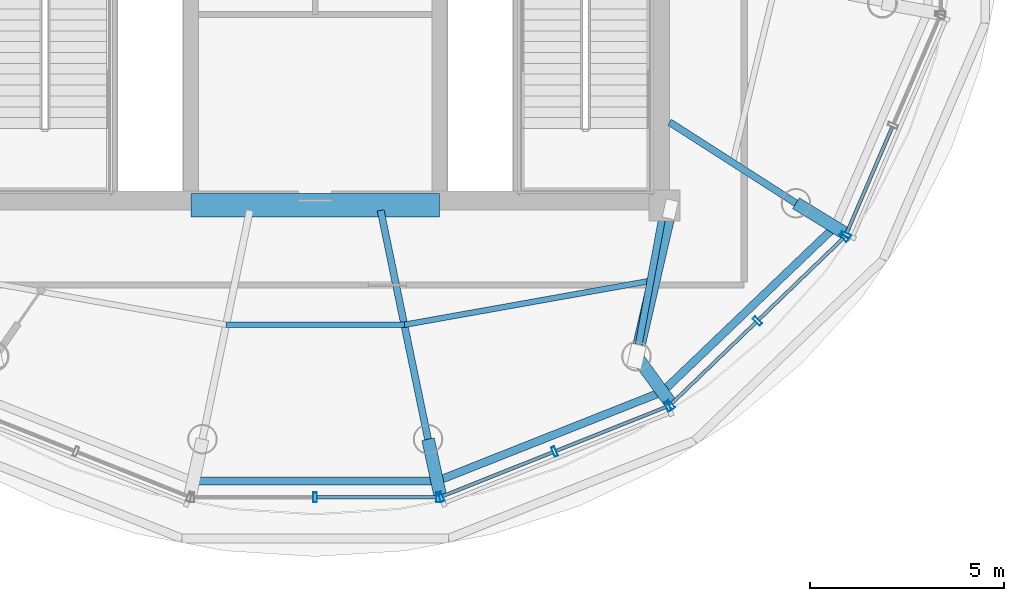
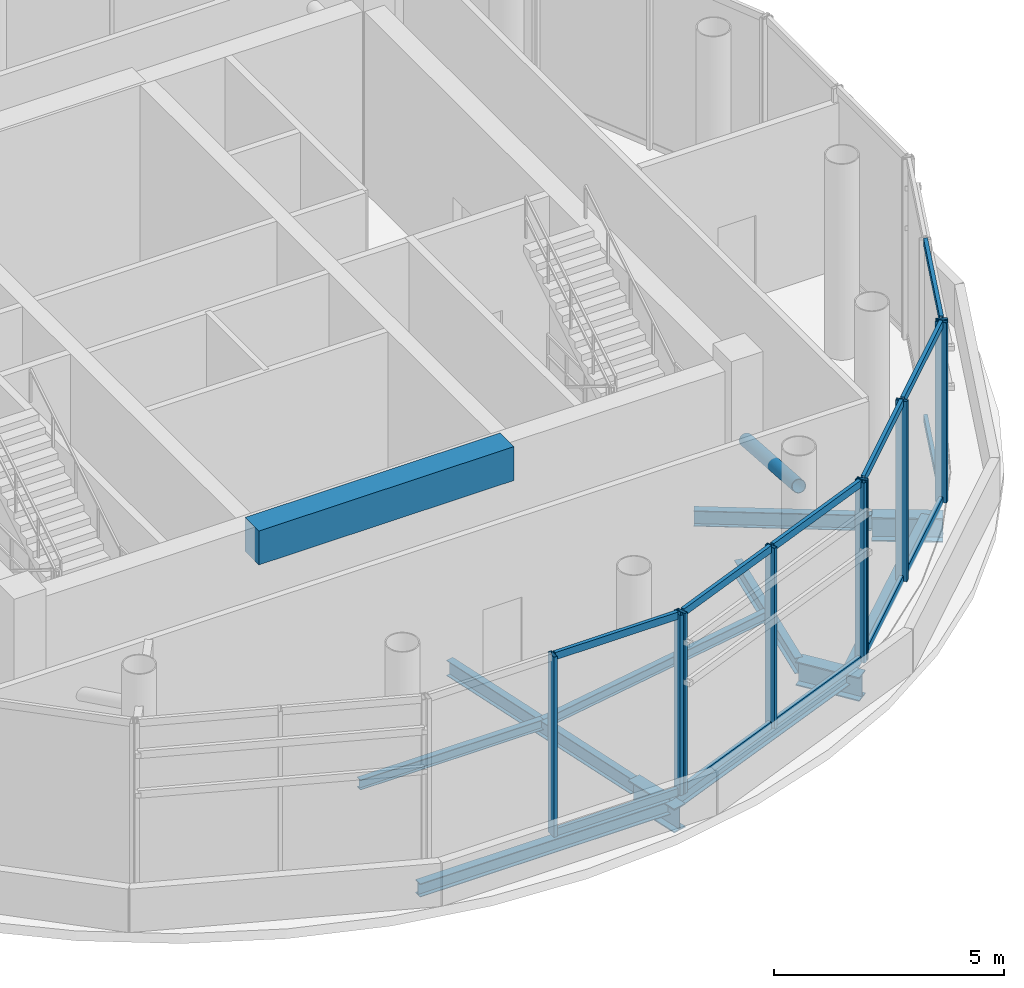
# One storey, part 3 of 14: 22 members, 12 beams, 4 elements without a shape of their own.
"""IFC4 building model written with IfcOpenShell, lengths in metres."""

from ifc_helpers import new_model, si_unit, direction, frame, origin, origin_2d, place, context, subcontext, project, spatial, rectangle, hollow_rectangle, hollow_circle, i_section, extrude, source, transform, mapped, material, material_profile, profile_set, type_object, element, aggregate, save


model = new_model("IFC4")

# Units and contexts
model_context = context("Model", 3, precision=1e-05, world=origin(), true_north=direction((-0.2419218956, 0.970295726276)))
body_context = subcontext(model_context, "Body", "Model", "MODEL_VIEW")
ifc_project = project(units=[si_unit("LENGTHUNIT", "METRE"), si_unit("AREAUNIT", "SQUARE_METRE"), si_unit("VOLUMEUNIT", "CUBIC_METRE"), si_unit("PLANEANGLEUNIT", "RADIAN"), si_unit("MASSUNIT", "GRAM", prefix="KILO")], contexts=[model_context])

# Site, building, storey
site_placement = place(None, origin())
site = spatial("IfcSite", under=ifc_project, at=site_placement, CompositionType="ELEMENT")
building_placement = place(site_placement, origin())
building = spatial("IfcBuilding", under=site, at=building_placement, Name="Cobrevalo Terracotta Tower", CompositionType="ELEMENT")
storey_placement = place(building_placement, frame((0.0, 0.0, 321.699951171875)))
storey = spatial("IfcBuildingStorey", under=building, at=storey_placement, Name="L83", CompositionType="ELEMENT", Elevation=321.699951171875)

# Beams
ifc_material_1 = material(Name="Concrete C60", Category="concrete")
ifc_material_profile_1 = material_profile(ifc_material_1, rectangle(XDim=0.60009765625, YDim=0.89990234375, at=origin_2d()), Name="RC CB 600x900")
ifc_profile_set_1 = profile_set([ifc_material_profile_1], Name="Concrete C60")
beam_type_1 = type_object("IfcBeamType", Name="Structural Beam RC CB 600x900 (Concrete C60)", PredefinedType="BEAM", material=ifc_profile_set_1)
beam_1_placement = place(storey_placement, frame((34.800048828125, 18.800048828125, 4.330078125), z_axis=(1.0, 0.0, 0.0), x_axis=(0.0, 1.0, 0.0)))
element("IfcBeam", 1, at=beam_1_placement, inside=storey, type_object=beam_type_1, Name="L83 core coupling beam 1", PredefinedType="BEAM", context=body_context, shape_type="SweptSolid", body=[
    extrude(rectangle(XDim=0.60009765625, YDim=0.89990234375, at=origin_2d()), origin(), (0.0, 0.0, 1.0), 6.39990234375),
])
ifc_material_2 = material(Name="Steel S355", Category="steel")
ifc_material_profile_2 = material_profile(ifc_material_2, i_section(OverallWidth=0.179931640625, OverallDepth=0.4130859375, WebThickness=0.009765625, FlangeThickness=0.01611328125, at=origin_2d()), Name="W 410x75")
ifc_profile_set_2 = profile_set([ifc_material_profile_2], Name="Steel S355")
beam_type_2 = type_object("IfcBeamType", Name="Structural Beam W 410x75 (Steel S355)", PredefinedType="BEAM", material=ifc_profile_set_2)
beam_2_placement = place(storey_placement, frame((40.90673828125, 12.774658203125, -0.62646484375), z_axis=(-0.202919370173, 0.979195449953, 0.0), x_axis=(-0.979195449953, -0.202919370173, 0.0)))
element("IfcBeam", 2, at=beam_2_placement, inside=storey, type_object=beam_type_2, Name="L83 radial floor girder 13", PredefinedType="BEAM", context=body_context, shape_type="SweptSolid", body=[
    extrude(i_section(OverallWidth=0.179931640625, OverallDepth=0.4130859375, WebThickness=0.009765625, FlangeThickness=0.01611328125, at=origin_2d()), origin(), (0.0, 0.0, 1.0), 6.0205078125),
])
beam_3_placement = place(storey_placement, frame((46.278076171875, 14.909912109375, -0.62646484375), z_axis=(0.182462670706, 0.983212781548, 0.0), x_axis=(-0.983212781548, 0.182462670706, 0.0)))
element("IfcBeam", 3, at=beam_3_placement, inside=storey, type_object=beam_type_2, Name="L83 radial floor girder 14", PredefinedType="BEAM", context=body_context, shape_type="SweptSolid", body=[
    extrude(i_section(OverallWidth=0.179931640625, OverallDepth=0.4130859375, WebThickness=0.009765625, FlangeThickness=0.01611328125, at=origin_2d()), origin(), (0.0, 0.0, 1.0), 3.95654296875),
])
beam_4_placement = place(storey_placement, frame((50.388916015625, 18.855224609375, -0.62646484375), z_axis=(-0.841794646381, 0.539797900444, 0.0), x_axis=(-0.539797900444, -0.841794646381, 0.0)))
element("IfcBeam", 4, at=beam_4_placement, inside=storey, type_object=beam_type_2, Name="L83 radial floor girder 15", PredefinedType="BEAM", context=body_context, shape_type="SweptSolid", body=[
    extrude(i_section(OverallWidth=0.179931640625, OverallDepth=0.4130859375, WebThickness=0.009765625, FlangeThickness=0.01611328125, at=origin_2d()), origin(), (0.0, 0.0, 1.0), 3.87158203125),
])
ifc_material_profile_3 = material_profile(ifc_material_2, i_section(OverallWidth=0.3291015625, OverallDepth=0.635009765625, WebThickness=0.017822265625, FlangeThickness=0.031005859375, at=origin_2d()), Name="W 610x241")
ifc_profile_set_3 = profile_set([ifc_material_profile_3], Name="Steel S355")
beam_type_3 = type_object("IfcBeamType", Name="Structural Beam W 610x241 (Steel S355)", PredefinedType="BEAM", material=ifc_profile_set_3)
beam_5_placement = place(storey_placement, frame((41.221435546875, 11.324462890625, -0.737548828125), z_axis=(-0.212067624066, 0.977254993757, 0.0), x_axis=(-0.977254993757, -0.212067624066, 0.0)))
element("IfcBeam", 5, at=beam_5_placement, inside=storey, type_object=beam_type_3, Name="L83 setback step-link girder 13", PredefinedType="BEAM", context=body_context, shape_type="SweptSolid", body=[
    extrude(i_section(OverallWidth=0.3291015625, OverallDepth=0.635009765625, WebThickness=0.017822265625, FlangeThickness=0.031005859375, at=origin_2d()), origin(), (0.0, 0.0, 1.0), 1.48388671875),
])
beam_6_placement = place(storey_placement, frame((47.16845703125, 13.688232421875, -0.737548828125), z_axis=(-0.588987623861, 0.808142053688, 0.0), x_axis=(-0.808142053688, -0.588987623861, 0.0)))
element("IfcBeam", 6, at=beam_6_placement, inside=storey, type_object=beam_type_3, Name="L83 setback step-link girder 14", PredefinedType="BEAM", context=body_context, shape_type="SweptSolid", body=[
    extrude(i_section(OverallWidth=0.3291015625, OverallDepth=0.635009765625, WebThickness=0.017822265625, FlangeThickness=0.031005859375, at=origin_2d()), origin(), (0.0, 0.0, 1.0), 1.51171875),
])
beam_7_placement = place(storey_placement, frame((51.710693359375, 18.045654296875, -0.737548828125), z_axis=(-0.852759676471, 0.522303488581, 0.0), x_axis=(-0.522303488581, -0.852759676471, 0.0)))
element("IfcBeam", 7, at=beam_7_placement, inside=storey, type_object=beam_type_3, Name="L83 setback step-link girder 15", PredefinedType="BEAM", context=body_context, shape_type="SweptSolid", body=[
    extrude(i_section(OverallWidth=0.3291015625, OverallDepth=0.635009765625, WebThickness=0.017822265625, FlangeThickness=0.031005859375, at=origin_2d()), origin(), (0.0, 0.0, 1.0), 1.550048828125),
])
ifc_material_profile_4 = material_profile(ifc_material_2, i_section(OverallWidth=0.14794921875, OverallDepth=0.26611328125, WebThickness=0.007568359375, FlangeThickness=0.012939453125, at=origin_2d()), Name="W 250x44.8")
ifc_profile_set_4 = profile_set([ifc_material_profile_4], Name="Steel S355")
beam_type_4 = type_object("IfcBeamType", Name="Structural Joist W 250x44.8 (Steel S355)", PredefinedType="JOIST", material=ifc_profile_set_4)
beam_8_placement = place(storey_placement, frame((35.7041015625, 15.722412109375, -0.552978515625), z_axis=(1.0, 0.0, 0.0), x_axis=(0.0, 1.0, 0.0)))
element("IfcBeam", 8, at=beam_8_placement, inside=storey, type_object=beam_type_4, Name="L83 circumferential secondary floor joist 12", PredefinedType="JOIST", context=body_context, shape_type="SweptSolid", body=[
    extrude(i_section(OverallWidth=0.14794921875, OverallDepth=0.26611328125, WebThickness=0.007568359375, FlangeThickness=0.012939453125, at=origin_2d()), origin(), (0.0, 0.0, 1.0), 4.591796875),
])
beam_9_placement = place(storey_placement, frame((40.2958984375, 15.722412109375, -0.552978515625), z_axis=(0.984430619707, 0.175773590117, 0.0), x_axis=(-0.175773590117, 0.984430619707, 0.0)))
element("IfcBeam", 9, at=beam_9_placement, inside=storey, type_object=beam_type_4, Name="L83 circumferential secondary floor joist 13", PredefinedType="JOIST", context=body_context, shape_type="SweptSolid", body=[
    extrude(i_section(OverallWidth=0.14794921875, OverallDepth=0.26611328125, WebThickness=0.007568359375, FlangeThickness=0.012939453125, at=origin_2d()), origin(), (0.0, 0.0, 1.0), 6.443359375),
])
ifc_material_profile_5 = material_profile(ifc_material_2, i_section(OverallWidth=0.205078125, OverallDepth=0.35400390625, WebThickness=0.009521484375, FlangeThickness=0.016845703125, at=origin_2d()), Name="W 360x79")
ifc_profile_set_5 = profile_set([ifc_material_profile_5], Name="Steel S355")
beam_type_5 = type_object("IfcBeamType", Name="Structural Spandrel W 360x79 (Steel S355)", PredefinedType="SPANDREL", material=ifc_profile_set_5)
beam_10_placement = place(storey_placement, frame((34.859130859375, 11.69580078125, -0.596923828125), z_axis=(1.0, 0.0, 0.0), x_axis=(0.0, 1.0, 0.0)))
element("IfcBeam", 10, at=beam_10_placement, inside=storey, type_object=beam_type_5, Name="L83 perimeter ring spandrel 12", PredefinedType="SPANDREL", context=body_context, shape_type="SweptSolid", body=[
    extrude(i_section(OverallWidth=0.205078125, OverallDepth=0.35400390625, WebThickness=0.009521484375, FlangeThickness=0.016845703125, at=origin_2d()), origin(), (0.0, 0.0, 1.0), 6.28173828125),
])
beam_11_placement = place(storey_placement, frame((41.140869140625, 11.69580078125, -0.596923828125), z_axis=(0.929682763959, 0.368361179275, 0.0), x_axis=(-0.368361179275, 0.929682763959, 0.0)))
element("IfcBeam", 11, at=beam_11_placement, inside=storey, type_object=beam_type_5, Name="L83 perimeter ring spandrel 13", PredefinedType="SPANDREL", context=body_context, shape_type="SweptSolid", body=[
    extrude(i_section(OverallWidth=0.205078125, OverallDepth=0.35400390625, WebThickness=0.009521484375, FlangeThickness=0.016845703125, at=origin_2d()), origin(), (0.0, 0.0, 1.0), 6.24267578125),
])
beam_12_placement = place(storey_placement, frame((46.944580078125, 13.995361328125, -0.596923828125), z_axis=(0.722659970904, 0.691203708362, 0.0), x_axis=(-0.691203708362, 0.722659970904, 0.0)))
element("IfcBeam", 12, at=beam_12_placement, inside=storey, type_object=beam_type_5, Name="L83 perimeter ring spandrel 14", PredefinedType="SPANDREL", context=body_context, shape_type="SweptSolid", body=[
    extrude(i_section(OverallWidth=0.205078125, OverallDepth=0.35400390625, WebThickness=0.009521484375, FlangeThickness=0.016845703125, at=origin_2d()), origin(), (0.0, 0.0, 1.0), 6.14697265625),
])

# Member
ifc_material_profile_6 = material_profile(ifc_material_2, hollow_circle(Radius=0.162109375, WallThickness=0.013916015625, at=origin_2d()), Name="CHS 324x14")
ifc_profile_set_6 = profile_set([ifc_material_profile_6], Name="Steel S355")
member_type_1 = type_object("IfcMemberType", Name="Steel Brace CHS 324x14 (Steel S355)", PredefinedType="BRACE", material=ifc_profile_set_6)
shared_shape_1 = source(origin(), body_context, "Body", "SweptSolid", [
    extrude(hollow_circle(Radius=0.162109375, WallThickness=0.013916015625, at=origin_2d()), origin(), (0.0, 0.0, 1.0), 4.126708984375),
])
member_1_placement = place(storey_placement, frame((47.14990234375, 18.699951171875, 2.75), z_axis=(-0.211267372013, -0.918430322917, 0.334442580227), x_axis=(0.974548603832, -0.224176311794, 0.0)))
element("IfcMember", 13, at=member_1_placement, inside=storey, type_object=member_type_1, Name="L83 CROWN FRAME radial brace 04", PredefinedType="BRACE", context=body_context, shape_type="MappedRepresentation", body=[
    mapped(shared_shape_1, transform((0.0, 0.0, 0.0), scale=1.0)),
])

# Curtain wall, members
ifc_material_3 = material(Name="Anodized aluminium", Category="aluminium")
curtain_wall_type = type_object("IfcCurtainWallType", Name="Faceted glass-point crown structural glazing system CW-CR", PredefinedType="NOTDEFINED", material=ifc_material_3)
curtain_wall_1_placement = place(storey_placement, origin())
curtain_wall_1 = element("IfcCurtainWall", 14, at=curtain_wall_1_placement, inside=storey, type_object=curtain_wall_type, Name="L83 curtain wall CW-CRN-L83-S12", PredefinedType="NOTDEFINED")
ifc_material_profile_7 = material_profile(ifc_material_3, hollow_rectangle(XDim=0.090087890625, YDim=0.260009765625, WallThickness=0.006103515625, at=origin_2d()), Name="CWM 90x260")
ifc_profile_set_7 = profile_set([ifc_material_profile_7], Name="Anodized aluminium")
member_type_2 = type_object("IfcMemberType", Name="Crown structural glass mullion 90x260", PredefinedType="MULLION", material=ifc_profile_set_7)
shared_shape_2 = source(origin(), body_context, "Body", "SweptSolid", [
    extrude(hollow_rectangle(XDim=0.090087890625, YDim=0.260009765625, WallThickness=0.006103515625, at=origin_2d()), origin(), (0.0, 0.0, 1.0), 4.780029296875),
])
member_2_placement = place(storey_placement, frame((38.0, 11.274169921875, 0.0), z_axis=(0.0, 0.0, 1.0), x_axis=(1.0, 0.0, 0.0)))
member_2 = element("IfcMember", 15, at=member_2_placement, type_object=member_type_2, Name="CW-CRN-L83-S12 vertical mullion 02", PredefinedType="MULLION", context=body_context, shape_type="MappedRepresentation", body=[
    mapped(shared_shape_2, transform((0.0, 0.0, 0.0), scale=1.0)),
])
member_3_placement = place(storey_placement, frame((41.165283203125, 11.274169921875, 0.0), z_axis=(0.0, 0.0, 1.0), x_axis=(1.0, 0.0, 0.0)))
member_3 = element("IfcMember", 16, at=member_3_placement, type_object=member_type_2, Name="CW-CRN-L83-S12 vertical mullion 03", PredefinedType="MULLION", context=body_context, shape_type="MappedRepresentation", body=[
    mapped(shared_shape_2, transform((0.0, 0.0, 0.0), scale=1.0)),
])

curtain_wall_2_placement = place(storey_placement, origin())
curtain_wall_2 = element("IfcCurtainWall", 17, at=curtain_wall_2_placement, inside=storey, type_object=curtain_wall_type, Name="L83 curtain wall CW-CRN-L83-S13", PredefinedType="NOTDEFINED")
member_4_placement = place(storey_placement, frame((41.242431640625, 11.2890625, 0.0), z_axis=(0.0, 0.0, 1.0), x_axis=(0.928770743095, 0.370654700187, 0.0)))
member_4 = element("IfcMember", 18, at=member_4_placement, type_object=member_type_2, Name="CW-CRN-L83-S13 vertical mullion 01", PredefinedType="MULLION", context=body_context, shape_type="MappedRepresentation", body=[
    mapped(shared_shape_2, transform((0.0, 0.0, 0.0), scale=1.0)),
])
member_5_placement = place(storey_placement, frame((44.166748046875, 12.4560546875, 0.0), z_axis=(0.0, 0.0, 1.0), x_axis=(0.928770743095, 0.370654700187, 0.0)))
member_5 = element("IfcMember", 19, at=member_5_placement, type_object=member_type_2, Name="CW-CRN-L83-S13 vertical mullion 02", PredefinedType="MULLION", context=body_context, shape_type="MappedRepresentation", body=[
    mapped(shared_shape_2, transform((0.0, 0.0, 0.0), scale=1.0)),
])
member_6_placement = place(storey_placement, frame((47.0908203125, 13.623046875, 0.0), z_axis=(0.0, 0.0, 1.0), x_axis=(0.928770743095, 0.370654700187, 0.0)))
member_6 = element("IfcMember", 20, at=member_6_placement, type_object=member_type_2, Name="CW-CRN-L83-S13 vertical mullion 03", PredefinedType="MULLION", context=body_context, shape_type="MappedRepresentation", body=[
    mapped(shared_shape_2, transform((0.0, 0.0, 0.0), scale=1.0)),
])

curtain_wall_3_placement = place(storey_placement, origin())
curtain_wall_3 = element("IfcCurtainWall", 21, at=curtain_wall_3_placement, inside=storey, type_object=curtain_wall_type, Name="L83 curtain wall CW-CRN-L83-S14", PredefinedType="NOTDEFINED")
member_7_placement = place(storey_placement, frame((47.15673828125, 13.66552734375, 0.0), z_axis=(0.0, 0.0, 1.0), x_axis=(0.72013951191, 0.693829289801, 0.0)))
member_7 = element("IfcMember", 22, at=member_7_placement, type_object=member_type_2, Name="CW-CRN-L83-S14 vertical mullion 01", PredefinedType="MULLION", context=body_context, shape_type="MappedRepresentation", body=[
    mapped(shared_shape_2, transform((0.0, 0.0, 0.0), scale=1.0)),
])
member_8_placement = place(storey_placement, frame((49.39453125, 15.821533203125, 0.0), z_axis=(0.0, 0.0, 1.0), x_axis=(0.72013951191, 0.693829289801, 0.0)))
member_8 = element("IfcMember", 23, at=member_8_placement, type_object=member_type_2, Name="CW-CRN-L83-S14 vertical mullion 02", PredefinedType="MULLION", context=body_context, shape_type="MappedRepresentation", body=[
    mapped(shared_shape_2, transform((0.0, 0.0, 0.0), scale=1.0)),
])
member_9_placement = place(storey_placement, frame((51.63232421875, 17.9775390625, 0.0), z_axis=(0.0, 0.0, 1.0), x_axis=(0.72013951191, 0.693829289801, 0.0)))
member_9 = element("IfcMember", 24, at=member_9_placement, type_object=member_type_2, Name="CW-CRN-L83-S14 vertical mullion 03", PredefinedType="MULLION", context=body_context, shape_type="MappedRepresentation", body=[
    mapped(shared_shape_2, transform((0.0, 0.0, 0.0), scale=1.0)),
])

curtain_wall_4_placement = place(storey_placement, origin())
curtain_wall_4 = element("IfcCurtainWall", 25, at=curtain_wall_4_placement, inside=storey, type_object=curtain_wall_type, Name="L83 curtain wall CW-CRN-L83-S15", PredefinedType="NOTDEFINED")
member_10_placement = place(storey_placement, frame((51.6767578125, 18.0419921875, 0.0), z_axis=(0.0, 0.0, 1.0), x_axis=(0.394968347643, 0.918694728602, 0.0)))
member_10 = element("IfcMember", 26, at=member_10_placement, type_object=member_type_2, Name="CW-CRN-L83-S15 vertical mullion 01", PredefinedType="MULLION", context=body_context, shape_type="MappedRepresentation", body=[
    mapped(shared_shape_2, transform((0.0, 0.0, 0.0), scale=1.0)),
])
ifc_material_profile_8 = material_profile(ifc_material_3, hollow_rectangle(XDim=0.090087890625, YDim=0.195068359375, WallThickness=0.005615234375, at=origin_2d()), Name="CWT 90x195")
ifc_profile_set_8 = profile_set([ifc_material_profile_8], Name="Anodized aluminium")
member_type_3 = type_object("IfcMemberType", Name="Crown structural aluminium transom 90x195", PredefinedType="USERDEFINED", material=ifc_profile_set_8)
shared_shape_3 = source(origin(), body_context, "Body", "SweptSolid", [
    extrude(hollow_rectangle(XDim=0.090087890625, YDim=0.195068359375, WallThickness=0.005615234375, at=origin_2d()), origin(), (0.0, 0.0, 1.0), 2.985595703125),
])
member_11_placement = place(storey_placement, frame((51.692626953125, 18.078857421875, 0.050048828125), z_axis=(0.39495528775, 0.918700343245, 0.0), x_axis=(-0.918700343245, 0.39495528775, 0.0)))
member_11 = element("IfcMember", 27, at=member_11_placement, type_object=member_type_3, Name="CW-CRN-L83-S15 transom B01-T1", ObjectType="TRANSOM", PredefinedType="USERDEFINED", context=body_context, shape_type="MappedRepresentation", body=[
    mapped(shared_shape_3, transform((0.0, 0.0, 0.0), scale=1.0)),
])
member_12_placement = place(storey_placement, frame((51.692626953125, 18.078857421875, 4.72998046875), z_axis=(0.39495528775, 0.918700343245, 0.0), x_axis=(-0.918700343245, 0.39495528775, 0.0)))
member_12 = element("IfcMember", 28, at=member_12_placement, type_object=member_type_3, Name="CW-CRN-L83-S15 transom B01-T2", ObjectType="TRANSOM", PredefinedType="USERDEFINED", context=body_context, shape_type="MappedRepresentation", body=[
    mapped(shared_shape_3, transform((0.0, 0.0, 0.0), scale=1.0)),
])
aggregate(curtain_wall_4, [member_10, member_11, member_12])

# Member
shared_shape_4 = source(origin(), body_context, "Body", "SweptSolid", [
    extrude(hollow_rectangle(XDim=0.090087890625, YDim=0.195068359375, WallThickness=0.005615234375, at=origin_2d()), origin(), (0.0, 0.0, 1.0), 3.027587890625),
])
member_13_placement = place(storey_placement, frame((47.185546875, 13.693359375, 0.050048828125), z_axis=(0.720129171854, 0.693840021795, 0.0), x_axis=(-0.693840021795, 0.720129171854, 0.0)))
member_13 = element("IfcMember", 29, at=member_13_placement, type_object=member_type_3, Name="CW-CRN-L83-S14 transom B01-T1", ObjectType="TRANSOM", PredefinedType="USERDEFINED", context=body_context, shape_type="MappedRepresentation", body=[
    mapped(shared_shape_4, transform((0.0, 0.0, 0.0), scale=1.0)),
])

member_14_placement = place(storey_placement, frame((47.185546875, 13.693359375, 4.72998046875), z_axis=(0.720129171854, 0.693840021795, 0.0), x_axis=(-0.693840021795, 0.720129171854, 0.0)))
member_14 = element("IfcMember", 30, at=member_14_placement, type_object=member_type_3, Name="CW-CRN-L83-S14 transom B01-T2", ObjectType="TRANSOM", PredefinedType="USERDEFINED", context=body_context, shape_type="MappedRepresentation", body=[
    mapped(shared_shape_4, transform((0.0, 0.0, 0.0), scale=1.0)),
])

shared_shape_5 = source(origin(), body_context, "Body", "SweptSolid", [
    extrude(hollow_rectangle(XDim=0.090087890625, YDim=0.195068359375, WallThickness=0.005615234375, at=origin_2d()), origin(), (0.0, 0.0, 1.0), 3.068359375),
])
member_15_placement = place(storey_placement, frame((44.203857421875, 12.470947265625, 0.050048828125), z_axis=(0.928783665668, 0.370622317715, 0.0), x_axis=(-0.370622317715, 0.928783665668, 0.0)))
member_15 = element("IfcMember", 31, at=member_15_placement, type_object=member_type_3, Name="CW-CRN-L83-S13 transom B02-T1", ObjectType="TRANSOM", PredefinedType="USERDEFINED", context=body_context, shape_type="MappedRepresentation", body=[
    mapped(shared_shape_5, transform((0.0, 0.0, 0.0), scale=1.0)),
])

member_16_placement = place(storey_placement, frame((44.203857421875, 12.470947265625, 4.72998046875), z_axis=(0.928783665668, 0.370622317715, 0.0), x_axis=(-0.370622317715, 0.928783665668, 0.0)))
member_16 = element("IfcMember", 32, at=member_16_placement, type_object=member_type_3, Name="CW-CRN-L83-S13 transom B02-T2", ObjectType="TRANSOM", PredefinedType="USERDEFINED", context=body_context, shape_type="MappedRepresentation", body=[
    mapped(shared_shape_5, transform((0.0, 0.0, 0.0), scale=1.0)),
])

shared_shape_6 = source(origin(), body_context, "Body", "SweptSolid", [
    extrude(hollow_rectangle(XDim=0.090087890625, YDim=0.195068359375, WallThickness=0.005615234375, at=origin_2d()), origin(), (0.0, 0.0, 1.0), 3.068603515625),
])
member_17_placement = place(storey_placement, frame((41.279541015625, 11.3037109375, 0.050048828125), z_axis=(0.928767206697, 0.370663561419, 0.0), x_axis=(-0.370663561419, 0.928767206697, 0.0)))
member_17 = element("IfcMember", 33, at=member_17_placement, type_object=member_type_3, Name="CW-CRN-L83-S13 transom B01-T1", ObjectType="TRANSOM", PredefinedType="USERDEFINED", context=body_context, shape_type="MappedRepresentation", body=[
    mapped(shared_shape_6, transform((0.0, 0.0, 0.0), scale=1.0)),
])

member_18_placement = place(storey_placement, frame((41.279541015625, 11.3037109375, 4.72998046875), z_axis=(0.928767206697, 0.370663561419, 0.0), x_axis=(-0.370663561419, 0.928767206697, 0.0)))
member_18 = element("IfcMember", 34, at=member_18_placement, type_object=member_type_3, Name="CW-CRN-L83-S13 transom B01-T2", ObjectType="TRANSOM", PredefinedType="USERDEFINED", context=body_context, shape_type="MappedRepresentation", body=[
    mapped(shared_shape_6, transform((0.0, 0.0, 0.0), scale=1.0)),
])

aggregate(curtain_wall_2, [member_4, member_5, member_6, member_17, member_18, member_15, member_16])

shared_shape_7 = source(origin(), body_context, "Body", "SweptSolid", [
    extrude(hollow_rectangle(XDim=0.090087890625, YDim=0.195068359375, WallThickness=0.005615234375, at=origin_2d()), origin(), (0.0, 0.0, 1.0), 3.085205078125),
])
member_19_placement = place(storey_placement, frame((38.0400390625, 11.274169921875, 0.050048828125), z_axis=(1.0, 0.0, 0.0), x_axis=(0.0, 1.0, 0.0)))
member_19 = element("IfcMember", 35, at=member_19_placement, type_object=member_type_3, Name="CW-CRN-L83-S12 transom B02-T1", ObjectType="TRANSOM", PredefinedType="USERDEFINED", context=body_context, shape_type="MappedRepresentation", body=[
    mapped(shared_shape_7, transform((0.0, 0.0, 0.0), scale=1.0)),
])

member_20_placement = place(storey_placement, frame((38.0400390625, 11.274169921875, 4.72998046875), z_axis=(1.0, 0.0, 0.0), x_axis=(0.0, 1.0, 0.0)))
member_20 = element("IfcMember", 36, at=member_20_placement, type_object=member_type_3, Name="CW-CRN-L83-S12 transom B02-T2", ObjectType="TRANSOM", PredefinedType="USERDEFINED", context=body_context, shape_type="MappedRepresentation", body=[
    mapped(shared_shape_7, transform((0.0, 0.0, 0.0), scale=1.0)),
])

aggregate(curtain_wall_1, [member_2, member_3, member_19, member_20])

shared_shape_8 = source(origin(), body_context, "Body", "SweptSolid", [
    extrude(hollow_rectangle(XDim=0.090087890625, YDim=0.195068359375, WallThickness=0.005615234375, at=origin_2d()), origin(), (0.0, 0.0, 1.0), 3.02734375),
])
member_21_placement = place(storey_placement, frame((49.42333984375, 15.849365234375, 0.050048828125), z_axis=(0.72016946581, 0.693798198697, 0.0), x_axis=(-0.693798198697, 0.72016946581, 0.0)))
member_21 = element("IfcMember", 37, at=member_21_placement, type_object=member_type_3, Name="CW-CRN-L83-S14 transom B02-T1", ObjectType="TRANSOM", PredefinedType="USERDEFINED", context=body_context, shape_type="MappedRepresentation", body=[
    mapped(shared_shape_8, transform((0.0, 0.0, 0.0), scale=1.0)),
])

member_22_placement = place(storey_placement, frame((49.42333984375, 15.849365234375, 4.72998046875), z_axis=(0.72016946581, 0.693798198697, 0.0), x_axis=(-0.693798198697, 0.72016946581, 0.0)))
member_22 = element("IfcMember", 38, at=member_22_placement, type_object=member_type_3, Name="CW-CRN-L83-S14 transom B02-T2", ObjectType="TRANSOM", PredefinedType="USERDEFINED", context=body_context, shape_type="MappedRepresentation", body=[
    mapped(shared_shape_8, transform((0.0, 0.0, 0.0), scale=1.0)),
])

aggregate(curtain_wall_3, [member_7, member_8, member_9, member_13, member_14, member_21, member_22])

save(model, "model.ifc")
